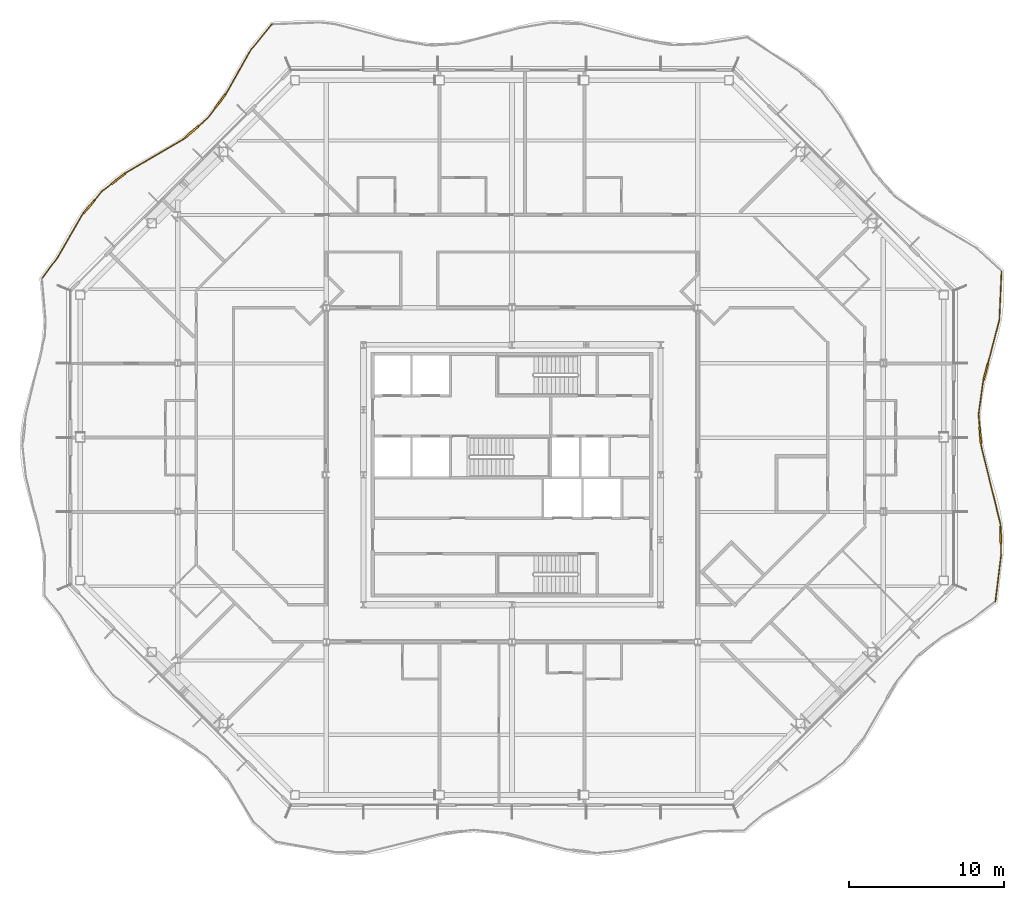
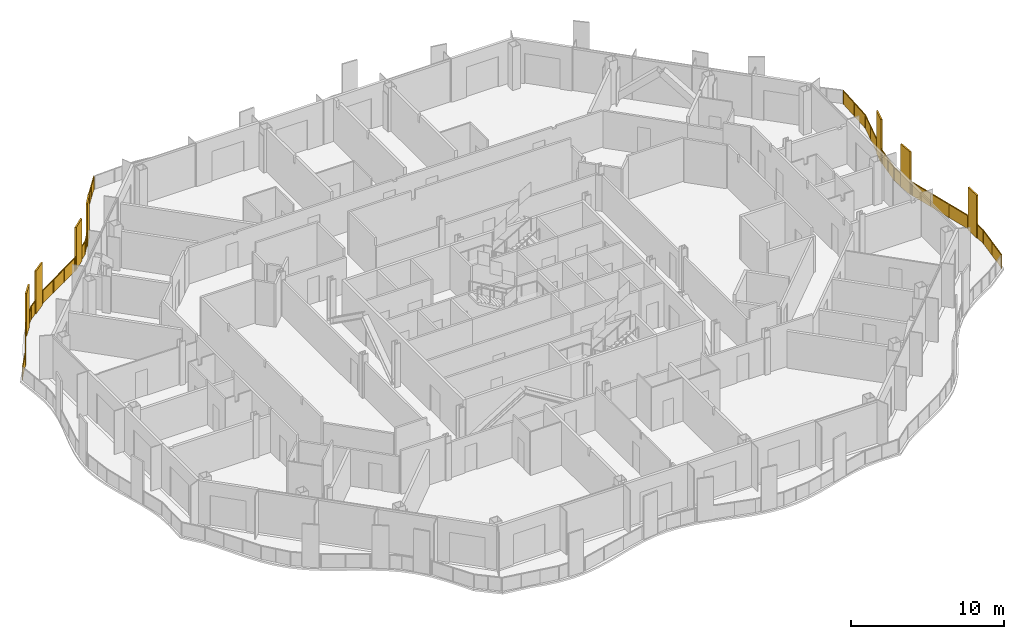
# One storey, part 19 of 21: 2 railings.
"""IFC4 building model written with IfcOpenShell, lengths in metres."""

from ifc_helpers import new_model, si_unit, direction, frame, origin, origin_2d, place, context, subcontext, project, spatial, polyline, rectangle, outline, extrude, material, type_object, element, save


model = new_model("IFC4")

# Units and contexts
model_context = context("Model", 3, precision=1e-05, world=origin(), true_north=direction((0.0, 1.0)))
body_context = subcontext(model_context, "Body", "Model", "MODEL_VIEW")
ifc_project = project(units=[si_unit("LENGTHUNIT", "METRE"), si_unit("AREAUNIT", "SQUARE_METRE"), si_unit("VOLUMEUNIT", "CUBIC_METRE"), si_unit("PLANEANGLEUNIT", "RADIAN"), si_unit("MASSUNIT", "GRAM", prefix="KILO")], contexts=[model_context])

# Site, building, storey
site_placement = place(None, origin())
site = spatial("IfcSite", under=ifc_project, at=site_placement, CompositionType="ELEMENT")
building_placement = place(site_placement, origin())
building = spatial("IfcBuilding", under=site, at=building_placement, Name="Cairn Pilgrim Tower", CompositionType="ELEMENT")
storey_placement = place(building_placement, frame((0.0, 0.0, 161.39990234375)))
storey = spatial("IfcBuildingStorey", under=building, at=storey_placement, Name="L40", CompositionType="ELEMENT", Elevation=161.39990234375)

# Railings
ifc_material = material(Name="Bronze anodised aluminium rail, posts and fin screens with laminated glass infill", Category="aluminium")
railing_type = type_object("IfcRailingType", Name="BALCONY GUARD WITH FIN SCREENS", PredefinedType="GUARDRAIL", material=ifc_material)
railing_1_placement = place(storey_placement, frame((38.440185546875, -5.787841796875, 0.0)))
element("IfcRailing", 1, at=railing_1_placement, inside=storey, type_object=railing_type, Name="Balcony guard BGF-3 with fin screens", PredefinedType="GUARDRAIL", context=body_context, shape_type="SweptSolid", body=[
    extrude(rectangle(XDim=0.050048828125, YDim=0.050048828125, at=origin_2d()), frame((0.0, 0.0, 1.0751953125), z_axis=(0.122264769297, 0.992497519487, 0.0), x_axis=(-0.992497519487, 0.122264769297, 0.0)), (0.0, 0.0, 1.0), 3.0390625),
    extrude(rectangle(XDim=1.10009765625, YDim=0.110107421875, at=origin_2d()), frame((0.343017578125, 4.310302734375, 0.0), z_axis=(0.0, 0.0, 1.0), x_axis=(-0.022037262675, 0.999757150039, 0.0)), (0.0, 0.0, 1.0), 3.39990234375),
    extrude(rectangle(XDim=0.050048828125, YDim=0.050048828125, at=origin_2d()), frame((0.37158203125, 3.016357421875, 1.0751953125), z_axis=(-0.022037262675, 0.999757150039, 0.0), x_axis=(-0.999757150039, -0.022037262675, 0.0)), (0.0, 0.0, 1.0), 0.744140625),
    extrude(rectangle(XDim=0.050048828125, YDim=0.050048828125, at=origin_2d()), frame((0.3310546875, 4.860107421875, 1.0751953125), z_axis=(-0.022037262675, 0.999757150039, 0.0), x_axis=(-0.999757150039, -0.022037262675, 0.0)), (0.0, 0.0, 1.0), 0.14990234375),
    extrude(rectangle(XDim=0.050048828125, YDim=0.050048828125, at=origin_2d()), frame((0.32763671875, 5.010009765625, 1.0751953125), z_axis=(-0.239949877031, 0.970785278274, 0.0), x_axis=(-0.970785278274, -0.239949877031, 0.0)), (0.0, 0.0, 1.0), 5.2001953125),
    extrude(rectangle(XDim=1.10009765625, YDim=0.110107421875, at=origin_2d()), frame((-0.976806640625, 10.756103515625, 0.0), z_axis=(0.0, 0.0, 1.0), x_axis=(-0.08085412376, 0.996725945619, 0.0)), (0.0, 0.0, 1.0), 3.39990234375),
    extrude(rectangle(XDim=0.050048828125, YDim=0.050048828125, at=origin_2d()), frame((-0.920166015625, 10.058349609375, 1.0751953125), z_axis=(-0.08085412376, 0.996725945619, 0.0), x_axis=(-0.996725945619, -0.08085412376, 0.0)), (0.0, 0.0, 1.0), 0.150146484375),
    extrude(rectangle(XDim=0.050048828125, YDim=0.050048828125, at=origin_2d()), frame((-1.021240234375, 11.30419921875, 1.0751953125), z_axis=(-0.08085412376, 0.996725945619, 0.0), x_axis=(-0.996725945619, -0.08085412376, 0.0)), (0.0, 0.0, 1.0), 0.80615234375),
    extrude(rectangle(XDim=0.050048828125, YDim=0.050048828125, at=origin_2d()), frame((-1.08642578125, 12.10791015625, 1.0751953125), z_axis=(0.137912964875, 0.990444351854, 0.0), x_axis=(-0.990444351854, 0.137912964875, 0.0)), (0.0, 0.0, 1.0), 2.06591796875),
    extrude(rectangle(XDim=1.10009765625, YDim=0.110107421875, at=origin_2d()), frame((-0.620361328125, 14.8447265625, 0.0), z_axis=(0.0, 0.0, 1.0), x_axis=(0.253850909993, 0.967243358983, 0.0)), (0.0, 0.0, 1.0), 3.39990234375),
    extrude(rectangle(XDim=0.050048828125, YDim=0.050048828125, at=origin_2d()), frame((-0.801513671875, 14.154052734375, 1.0751953125), z_axis=(0.253850909993, 0.967243358983, 0.0), x_axis=(-0.967243358983, 0.253850909993, 0.0)), (0.0, 0.0, 1.0), 0.1640625),
    extrude(rectangle(XDim=0.050048828125, YDim=0.050048828125, at=origin_2d()), frame((-0.480712890625, 15.376708984375, 1.0751953125), z_axis=(0.253850909993, 0.967243358983, 0.0), x_axis=(-0.967243358983, 0.253850909993, 0.0)), (0.0, 0.0, 1.0), 2.908203125),
    extrude(rectangle(XDim=0.050048828125, YDim=0.050048828125, at=origin_2d()), frame((0.257568359375, 18.189453125, 1.0751953125), z_axis=(0.044558662059, 0.999006769564, 0.0), x_axis=(-0.999006769564, 0.044558662059, 0.0)), (0.0, 0.0, 1.0), 3.11767578125),
    extrude(rectangle(XDim=0.050048828125, YDim=0.050048828125, at=origin_2d()), origin(), (0.0, 0.0, 1.0), 1.050048828125),
    extrude(rectangle(XDim=0.050048828125, YDim=0.050048828125, at=origin_2d()), frame((0.185791015625, 1.50830078125, 0.0)), (0.0, 0.0, 1.0), 1.050048828125),
    extrude(rectangle(XDim=0.050048828125, YDim=0.050048828125, at=origin_2d()), frame((0.37158203125, 3.016357421875, 0.0)), (0.0, 0.0, 1.0), 1.050048828125),
    extrude(rectangle(XDim=0.050048828125, YDim=0.050048828125, at=origin_2d()), frame((0.355712890625, 3.7353515625, 0.0)), (0.0, 0.0, 1.0), 1.050048828125),
    extrude(rectangle(XDim=0.050048828125, YDim=0.050048828125, at=origin_2d()), frame((0.330322265625, 4.88525390625, 0.0)), (0.0, 0.0, 1.0), 1.050048828125),
    extrude(rectangle(XDim=0.050048828125, YDim=0.050048828125, at=origin_2d()), frame((0.32763671875, 5.010009765625, 0.0)), (0.0, 0.0, 1.0), 1.050048828125),
    extrude(rectangle(XDim=0.050048828125, YDim=0.050048828125, at=origin_2d()), frame((-0.08837890625, 6.69287109375, 0.0)), (0.0, 0.0, 1.0), 1.050048828125),
    extrude(rectangle(XDim=0.050048828125, YDim=0.050048828125, at=origin_2d()), frame((-0.504150390625, 8.37548828125, 0.0)), (0.0, 0.0, 1.0), 1.050048828125),
    extrude(rectangle(XDim=0.050048828125, YDim=0.050048828125, at=origin_2d()), frame((-0.920166015625, 10.058349609375, 0.0)), (0.0, 0.0, 1.0), 1.050048828125),
    extrude(rectangle(XDim=0.050048828125, YDim=0.050048828125, at=origin_2d()), frame((-0.93017578125, 10.182861328125, 0.0)), (0.0, 0.0, 1.0), 1.050048828125),
    extrude(rectangle(XDim=0.050048828125, YDim=0.050048828125, at=origin_2d()), frame((-1.023193359375, 11.329345703125, 0.0)), (0.0, 0.0, 1.0), 1.050048828125),
    extrude(rectangle(XDim=0.050048828125, YDim=0.050048828125, at=origin_2d()), frame((-1.08642578125, 12.10791015625, 0.0)), (0.0, 0.0, 1.0), 1.050048828125),
    extrude(rectangle(XDim=0.050048828125, YDim=0.050048828125, at=origin_2d()), frame((-0.94384765625, 13.130859375, 0.0)), (0.0, 0.0, 1.0), 1.050048828125),
    extrude(rectangle(XDim=0.050048828125, YDim=0.050048828125, at=origin_2d()), frame((-0.801513671875, 14.154052734375, 0.0)), (0.0, 0.0, 1.0), 1.050048828125),
    extrude(rectangle(XDim=0.050048828125, YDim=0.050048828125, at=origin_2d()), frame((-0.766357421875, 14.288330078125, 0.0)), (0.0, 0.0, 1.0), 1.050048828125),
    extrude(rectangle(XDim=0.050048828125, YDim=0.050048828125, at=origin_2d()), frame((-0.474365234375, 15.40087890625, 0.0)), (0.0, 0.0, 1.0), 1.050048828125),
    extrude(rectangle(XDim=0.050048828125, YDim=0.050048828125, at=origin_2d()), frame((-0.1083984375, 16.795166015625, 0.0)), (0.0, 0.0, 1.0), 1.050048828125),
    extrude(rectangle(XDim=0.050048828125, YDim=0.050048828125, at=origin_2d()), frame((0.257568359375, 18.189453125, 0.0)), (0.0, 0.0, 1.0), 1.050048828125),
    extrude(rectangle(XDim=0.050048828125, YDim=0.050048828125, at=origin_2d()), frame((0.3271484375, 19.74658203125, 0.0)), (0.0, 0.0, 1.0), 1.050048828125),
    extrude(rectangle(XDim=0.050048828125, YDim=0.050048828125, at=origin_2d()), frame((0.396484375, 21.303955078125, 0.0)), (0.0, 0.0, 1.0), 1.050048828125),
    extrude(outline(polyline([(0.02490234375, 0.0), (1.49462890625, 0.0), (1.49462890625, 1.050048828125), (0.02490234375, 1.050048828125), (0.02490234375, 0.0)])), frame((-0.005859375, 0.000732421875, 0.0), z_axis=(0.992497519487, -0.122264769297, 0.0), x_axis=(0.122264769297, 0.992497519487, 0.0)), (0.0, 0.0, 1.0), 0.011962890625),
    extrude(outline(polyline([(0.02490234375, 0.0), (1.49462890625, 0.0), (1.49462890625, 1.050048828125), (0.02490234375, 1.050048828125), (0.02490234375, 0.0)])), frame((0.179931640625, 1.5087890625, 0.0), z_axis=(0.992497519487, -0.122264769297, 0.0), x_axis=(0.122264769297, 0.992497519487, 0.0)), (0.0, 0.0, 1.0), 0.011962890625),
    extrude(outline(polyline([(0.02490234375, 0.0), (0.694091796875, 0.0), (0.694091796875, 1.050048828125), (0.02490234375, 1.050048828125), (0.02490234375, 0.0)])), frame((0.36572265625, 3.01611328125, 0.0), z_axis=(0.999757150039, 0.022037262675, 0.0), x_axis=(-0.022037262675, 0.999757150039, 0.0)), (0.0, 0.0, 1.0), 0.011962890625),
    extrude(outline(polyline([(0.02490234375, 0.0), (0.099853515625, 0.0), (0.099853515625, 1.050048828125), (0.02490234375, 1.050048828125), (0.02490234375, 0.0)])), frame((0.324462890625, 4.885009765625, 0.0), z_axis=(0.999757150039, 0.022037262675, 0.0), x_axis=(-0.022037262675, 0.999757150039, 0.0)), (0.0, 0.0, 1.0), 0.011962890625),
    extrude(outline(polyline([(0.02490234375, 0.0), (1.70849609375, 0.0), (1.70849609375, 1.050048828125), (0.02490234375, 1.050048828125), (0.02490234375, 0.0)])), frame((0.32177734375, 5.008544921875, 0.0), z_axis=(0.970785278274, 0.239949877031, 0.0), x_axis=(-0.239949877031, 0.970785278274, 0.0)), (0.0, 0.0, 1.0), 0.011962890625),
    extrude(outline(polyline([(0.02490234375, 0.0), (1.70849609375, 0.0), (1.70849609375, 1.050048828125), (0.02490234375, 1.050048828125), (0.02490234375, 0.0)])), frame((-0.093994140625, 6.69140625, 0.0), z_axis=(0.970785278274, 0.239949877031, 0.0), x_axis=(-0.239949877031, 0.970785278274, 0.0)), (0.0, 0.0, 1.0), 0.011962890625),
    extrude(outline(polyline([(0.02490234375, 0.0), (1.70849609375, 0.0), (1.70849609375, 1.050048828125), (0.02490234375, 1.050048828125), (0.02490234375, 0.0)])), frame((-0.510009765625, 8.3740234375, 0.0), z_axis=(0.970785278274, 0.239949877031, 0.0), x_axis=(-0.239949877031, 0.970785278274, 0.0)), (0.0, 0.0, 1.0), 0.011962890625),
    extrude(outline(polyline([(0.02490234375, 0.0), (0.10009765625, 0.0), (0.10009765625, 1.050048828125), (0.02490234375, 1.050048828125), (0.02490234375, 0.0)])), frame((-0.926025390625, 10.057861328125, 0.0), z_axis=(0.996725945619, 0.08085412376, 0.0), x_axis=(-0.08085412376, 0.996725945619, 0.0)), (0.0, 0.0, 1.0), 0.011962890625),
    extrude(outline(polyline([(0.02490234375, 0.0), (0.756103515625, 0.0), (0.756103515625, 1.050048828125), (0.02490234375, 1.050048828125), (0.02490234375, 0.0)])), frame((-1.029296875, 11.328857421875, 0.0), z_axis=(0.996725945619, 0.08085412376, 0.0), x_axis=(-0.08085412376, 0.996725945619, 0.0)), (0.0, 0.0, 1.0), 0.011962890625),
    extrude(outline(polyline([(0.02490234375, 0.0), (1.0078125, 0.0), (1.0078125, 1.050048828125), (0.02490234375, 1.050048828125), (0.02490234375, 0.0)])), frame((-1.09228515625, 12.108642578125, 0.0), z_axis=(0.990444351854, -0.137912964875, 0.0), x_axis=(0.137912964875, 0.990444351854, 0.0)), (0.0, 0.0, 1.0), 0.011962890625),
    extrude(outline(polyline([(0.02490234375, 0.0), (1.0078125, 0.0), (1.0078125, 1.050048828125), (0.02490234375, 1.050048828125), (0.02490234375, 0.0)])), frame((-0.949951171875, 13.1318359375, 0.0), z_axis=(0.990444351854, -0.137912964875, 0.0), x_axis=(0.137912964875, 0.990444351854, 0.0)), (0.0, 0.0, 1.0), 0.011962890625),
    extrude(outline(polyline([(0.02490234375, 0.0), (0.114013671875, 0.0), (0.114013671875, 1.050048828125), (0.02490234375, 1.050048828125), (0.02490234375, 0.0)])), frame((-0.807373046875, 14.155517578125, 0.0), z_axis=(0.967243358983, -0.253850909993, 0.0), x_axis=(0.253850909993, 0.967243358983, 0.0)), (0.0, 0.0, 1.0), 0.011962890625),
    extrude(outline(polyline([(0.02490234375, 0.0), (1.41650390625, 0.0), (1.41650390625, 1.050048828125), (0.02490234375, 1.050048828125), (0.02490234375, 0.0)])), frame((-0.47998046875, 15.40234375, 0.0), z_axis=(0.967243358983, -0.253850909993, 0.0), x_axis=(0.253850909993, 0.967243358983, 0.0)), (0.0, 0.0, 1.0), 0.011962890625),
    extrude(outline(polyline([(0.02490234375, 0.0), (1.41650390625, 0.0), (1.41650390625, 1.050048828125), (0.02490234375, 1.050048828125), (0.02490234375, 0.0)])), frame((-0.1142578125, 16.796630859375, 0.0), z_axis=(0.967243358983, -0.253850909993, 0.0), x_axis=(0.253850909993, 0.967243358983, 0.0)), (0.0, 0.0, 1.0), 0.011962890625),
    extrude(outline(polyline([(0.02490234375, 0.0), (1.53369140625, 0.0), (1.53369140625, 1.050048828125), (0.02490234375, 1.050048828125), (0.02490234375, 0.0)])), frame((0.251708984375, 18.189697265625, 0.0), z_axis=(0.999006769564, -0.044558662059, 0.0), x_axis=(0.044558662059, 0.999006769564, 0.0)), (0.0, 0.0, 1.0), 0.011962890625),
    extrude(outline(polyline([(0.02490234375, 0.0), (1.53369140625, 0.0), (1.53369140625, 1.050048828125), (0.02490234375, 1.050048828125), (0.02490234375, 0.0)])), frame((0.321044921875, 19.7470703125, 0.0), z_axis=(0.999006769564, -0.044558662059, 0.0), x_axis=(0.044558662059, 0.999006769564, 0.0)), (0.0, 0.0, 1.0), 0.011962890625),
])
railing_2_placement = place(storey_placement, frame((-8.3154296875, 31.521484375, 0.0)))
element("IfcRailing", 2, at=railing_2_placement, inside=storey, type_object=railing_type, Name="Balcony guard BGF-6 with fin screens", PredefinedType="GUARDRAIL", context=body_context, shape_type="SweptSolid", body=[
    extrude(rectangle(XDim=0.050048828125, YDim=0.050048828125, at=origin_2d()), frame((0.0, 0.0, 1.0751953125), z_axis=(-0.635587081674, -0.772029184428, 0.0), x_axis=(0.772029184428, -0.635587081674, 0.0)), (0.0, 0.0, 1.0), 2.136474609375),
    extrude(rectangle(XDim=0.050048828125, YDim=0.050048828125, at=origin_2d()), frame((-1.35791015625, -1.6494140625, 1.0751953125), z_axis=(-0.492613647027, -0.870248122527, 0.0), x_axis=(0.870248122527, -0.492613647027, 0.0)), (0.0, 0.0, 1.0), 3.166015625),
    extrude(rectangle(XDim=1.10009765625, YDim=0.110107421875, at=origin_2d()), frame((-3.334716796875, -4.966552734375, 0.0), z_axis=(0.0, 0.0, 1.0), x_axis=(-0.596075972165, -0.802928038748, 0.0)), (0.0, 0.0, 1.0), 3.39990234375),
    extrude(rectangle(XDim=0.050048828125, YDim=0.050048828125, at=origin_2d()), frame((-2.91748046875, -4.404541015625, 1.0751953125), z_axis=(-0.596075972165, -0.802928038748, 0.0), x_axis=(0.802928038748, -0.596075972165, 0.0)), (0.0, 0.0, 1.0), 0.14990234375),
    extrude(rectangle(XDim=0.050048828125, YDim=0.050048828125, at=origin_2d()), frame((-3.66259765625, -5.408203125, 1.0751953125), z_axis=(-0.596075972165, -0.802928038748, 0.0), x_axis=(0.802928038748, -0.596075972165, 0.0)), (0.0, 0.0, 1.0), 0.834228515625),
    extrude(rectangle(XDim=1.10009765625, YDim=0.110107421875, at=origin_2d()), frame((-5.198486328125, -6.97509765625, 0.0), z_axis=(0.0, 0.0, 1.0), x_axis=(-0.756823007769, -0.653619870346, 0.0)), (0.0, 0.0, 1.0), 3.39990234375),
    extrude(rectangle(XDim=0.050048828125, YDim=0.050048828125, at=origin_2d()), frame((-4.159912109375, -6.078125, 1.0751953125), z_axis=(-0.756823007769, -0.653619870346, 0.0), x_axis=(0.653619870346, -0.756823007769, 0.0)), (0.0, 0.0, 1.0), 0.822265625),
    extrude(rectangle(XDim=0.050048828125, YDim=0.050048828125, at=origin_2d()), frame((-5.61474609375, -7.334716796875, 1.0751953125), z_axis=(-0.756823007769, -0.653619870346, 0.0), x_axis=(0.653619870346, -0.756823007769, 0.0)), (0.0, 0.0, 1.0), 0.14990234375),
    extrude(rectangle(XDim=0.050048828125, YDim=0.050048828125, at=origin_2d()), frame((-5.728271484375, -7.4326171875, 1.0751953125), z_axis=(-0.86343419487, -0.50446148627, 0.0), x_axis=(0.50446148627, -0.86343419487, 0.0)), (0.0, 0.0, 1.0), 4.21533203125),
    extrude(rectangle(XDim=1.10009765625, YDim=0.110107421875, at=origin_2d()), frame((-9.924072265625, -9.984130859375, 0.0), z_axis=(0.0, 0.0, 1.0), x_axis=(-0.794508106718, -0.607253545365, 0.0)), (0.0, 0.0, 1.0), 3.39990234375),
    extrude(rectangle(XDim=0.050048828125, YDim=0.050048828125, at=origin_2d()), frame((-9.367919921875, -9.55908203125, 1.0751953125), z_axis=(-0.794508106718, -0.607253545365, 0.0), x_axis=(0.607253545365, -0.794508106718, 0.0)), (0.0, 0.0, 1.0), 0.150146484375),
    extrude(rectangle(XDim=0.050048828125, YDim=0.050048828125, at=origin_2d()), frame((-10.361083984375, -10.318115234375, 1.0751953125), z_axis=(-0.794508106718, -0.607253545365, 0.0), x_axis=(0.607253545365, -0.794508106718, 0.0)), (0.0, 0.0, 1.0), 0.778564453125),
    extrude(rectangle(XDim=1.10009765625, YDim=0.110107421875, at=origin_2d()), frame((-11.8232421875, -11.799560546875, 0.0), z_axis=(0.0, 0.0, 1.0), x_axis=(-0.641613534435, -0.767028077993, 0.0)), (0.0, 0.0, 1.0), 3.39990234375),
    extrude(rectangle(XDim=0.050048828125, YDim=0.050048828125, at=origin_2d()), frame((-10.979736328125, -10.791015625, 1.0751953125), z_axis=(-0.641613534435, -0.767028077993, 0.0), x_axis=(0.767028077993, -0.641613534435, 0.0)), (0.0, 0.0, 1.0), 0.7646484375),
    extrude(rectangle(XDim=0.050048828125, YDim=0.050048828125, at=origin_2d()), frame((-12.17626953125, -12.221435546875, 1.0751953125), z_axis=(-0.641613534435, -0.767028077993, 0.0), x_axis=(0.767028077993, -0.641613534435, 0.0)), (0.0, 0.0, 1.0), 0.150146484375),
    extrude(rectangle(XDim=0.050048828125, YDim=0.050048828125, at=origin_2d()), frame((-12.2724609375, -12.33642578125, 1.0751953125), z_axis=(-0.499905356512, -0.866080039333, 0.0), x_axis=(0.866080039333, -0.499905356512, 0.0)), (0.0, 0.0, 1.0), 3.158203125),
    extrude(rectangle(XDim=0.050048828125, YDim=0.050048828125, at=origin_2d()), frame((-13.851318359375, -15.07177734375, 1.0751953125), z_axis=(-0.597012983805, -0.802231573281, 0.0), x_axis=(0.802231573281, -0.597012983805, 0.0)), (0.0, 0.0, 1.0), 1.650146484375),
    extrude(rectangle(XDim=0.050048828125, YDim=0.050048828125, at=origin_2d()), origin(), (0.0, 0.0, 1.0), 1.050048828125),
    extrude(rectangle(XDim=0.050048828125, YDim=0.050048828125, at=origin_2d()), frame((-0.678955078125, -0.82470703125, 0.0)), (0.0, 0.0, 1.0), 1.050048828125),
    extrude(rectangle(XDim=0.050048828125, YDim=0.050048828125, at=origin_2d()), frame((-1.35791015625, -1.6494140625, 0.0)), (0.0, 0.0, 1.0), 1.050048828125),
    extrude(rectangle(XDim=0.050048828125, YDim=0.050048828125, at=origin_2d()), frame((-2.1376953125, -3.02685546875, 0.0)), (0.0, 0.0, 1.0), 1.050048828125),
    extrude(rectangle(XDim=0.050048828125, YDim=0.050048828125, at=origin_2d()), frame((-2.91748046875, -4.404541015625, 0.0)), (0.0, 0.0, 1.0), 1.050048828125),
    extrude(rectangle(XDim=0.050048828125, YDim=0.050048828125, at=origin_2d()), frame((-2.991943359375, -4.5048828125, 0.0)), (0.0, 0.0, 1.0), 1.050048828125),
    extrude(rectangle(XDim=0.050048828125, YDim=0.050048828125, at=origin_2d()), frame((-3.677490234375, -5.42822265625, 0.0)), (0.0, 0.0, 1.0), 1.050048828125),
    extrude(rectangle(XDim=0.050048828125, YDim=0.050048828125, at=origin_2d()), frame((-4.159912109375, -6.078125, 0.0)), (0.0, 0.0, 1.0), 1.050048828125),
    extrude(rectangle(XDim=0.050048828125, YDim=0.050048828125, at=origin_2d()), frame((-4.763427734375, -6.599365234375, 0.0)), (0.0, 0.0, 1.0), 1.050048828125),
    extrude(rectangle(XDim=0.050048828125, YDim=0.050048828125, at=origin_2d()), frame((-5.6337890625, -7.35107421875, 0.0)), (0.0, 0.0, 1.0), 1.050048828125),
    extrude(rectangle(XDim=0.050048828125, YDim=0.050048828125, at=origin_2d()), frame((-5.728271484375, -7.4326171875, 0.0)), (0.0, 0.0, 1.0), 1.050048828125),
    extrude(rectangle(XDim=0.050048828125, YDim=0.050048828125, at=origin_2d()), frame((-6.94140625, -8.141357421875, 0.0)), (0.0, 0.0, 1.0), 1.050048828125),
    extrude(rectangle(XDim=0.050048828125, YDim=0.050048828125, at=origin_2d()), frame((-8.15478515625, -8.850341796875, 0.0)), (0.0, 0.0, 1.0), 1.050048828125),
    extrude(rectangle(XDim=0.050048828125, YDim=0.050048828125, at=origin_2d()), frame((-9.367919921875, -9.55908203125, 0.0)), (0.0, 0.0, 1.0), 1.050048828125),
    extrude(rectangle(XDim=0.050048828125, YDim=0.050048828125, at=origin_2d()), frame((-9.46728515625, -9.635009765625, 0.0)), (0.0, 0.0, 1.0), 1.050048828125),
    extrude(rectangle(XDim=0.050048828125, YDim=0.050048828125, at=origin_2d()), frame((-10.381103515625, -10.33349609375, 0.0)), (0.0, 0.0, 1.0), 1.050048828125),
    extrude(rectangle(XDim=0.050048828125, YDim=0.050048828125, at=origin_2d()), frame((-10.979736328125, -10.791015625, 0.0)), (0.0, 0.0, 1.0), 1.050048828125),
    extrude(rectangle(XDim=0.050048828125, YDim=0.050048828125, at=origin_2d()), frame((-11.454345703125, -11.3583984375, 0.0)), (0.0, 0.0, 1.0), 1.050048828125),
    extrude(rectangle(XDim=0.050048828125, YDim=0.050048828125, at=origin_2d()), frame((-12.192138671875, -12.240478515625, 0.0)), (0.0, 0.0, 1.0), 1.050048828125),
    extrude(rectangle(XDim=0.050048828125, YDim=0.050048828125, at=origin_2d()), frame((-12.2724609375, -12.33642578125, 0.0)), (0.0, 0.0, 1.0), 1.050048828125),
    extrude(rectangle(XDim=0.050048828125, YDim=0.050048828125, at=origin_2d()), frame((-13.06201171875, -13.7041015625, 0.0)), (0.0, 0.0, 1.0), 1.050048828125),
    extrude(rectangle(XDim=0.050048828125, YDim=0.050048828125, at=origin_2d()), frame((-13.851318359375, -15.07177734375, 0.0)), (0.0, 0.0, 1.0), 1.050048828125),
    extrude(rectangle(XDim=0.050048828125, YDim=0.050048828125, at=origin_2d()), frame((-14.83642578125, -16.3955078125, 0.0)), (0.0, 0.0, 1.0), 1.050048828125),
    extrude(outline(polyline([(0.02490234375, 0.0), (1.043212890625, 0.0), (1.043212890625, 1.050048828125), (0.02490234375, 1.050048828125), (0.02490234375, 0.0)])), frame((0.004638671875, -0.00390625, 0.0), z_axis=(-0.772029184428, 0.635587081674, 0.0), x_axis=(-0.635587081674, -0.772029184428, 0.0)), (0.0, 0.0, 1.0), 0.011962890625),
    extrude(outline(polyline([(0.02490234375, 0.0), (1.043212890625, 0.0), (1.043212890625, 1.050048828125), (0.02490234375, 1.050048828125), (0.02490234375, 0.0)])), frame((-0.67431640625, -0.82861328125, 0.0), z_axis=(-0.772029184428, 0.635587081674, 0.0), x_axis=(-0.635587081674, -0.772029184428, 0.0)), (0.0, 0.0, 1.0), 0.011962890625),
    extrude(outline(polyline([(0.02490234375, 0.0), (1.557861328125, 0.0), (1.557861328125, 1.050048828125), (0.02490234375, 1.050048828125), (0.02490234375, 0.0)])), frame((-1.352783203125, -1.65234375, 0.0), z_axis=(-0.870248122527, 0.492613647027, 0.0), x_axis=(-0.492613647027, -0.870248122527, 0.0)), (0.0, 0.0, 1.0), 0.011962890625),
    extrude(outline(polyline([(0.02490234375, 0.0), (1.557861328125, 0.0), (1.557861328125, 1.050048828125), (0.02490234375, 1.050048828125), (0.02490234375, 0.0)])), frame((-2.132568359375, -3.030029296875, 0.0), z_axis=(-0.870248122527, 0.492613647027, 0.0), x_axis=(-0.492613647027, -0.870248122527, 0.0)), (0.0, 0.0, 1.0), 0.011962890625),
    extrude(outline(polyline([(0.02490234375, 0.0), (0.099853515625, 0.0), (0.099853515625, 1.050048828125), (0.02490234375, 1.050048828125), (0.02490234375, 0.0)])), frame((-2.91259765625, -4.408203125, 0.0), z_axis=(-0.802928038748, 0.596075972165, 0.0), x_axis=(-0.596075972165, -0.802928038748, 0.0)), (0.0, 0.0, 1.0), 0.011962890625),
    extrude(outline(polyline([(0.02490234375, 0.0), (0.7841796875, 0.0), (0.7841796875, 1.050048828125), (0.02490234375, 1.050048828125), (0.02490234375, 0.0)])), frame((-3.672607421875, -5.431884765625, 0.0), z_axis=(-0.802928038748, 0.596075972165, 0.0), x_axis=(-0.596075972165, -0.802928038748, 0.0)), (0.0, 0.0, 1.0), 0.011962890625),
    extrude(outline(polyline([(0.02490234375, 0.0), (0.772216796875, 0.0), (0.772216796875, 1.050048828125), (0.02490234375, 1.050048828125), (0.02490234375, 0.0)])), frame((-4.156005859375, -6.082763671875, 0.0), z_axis=(-0.653619870346, 0.756823007769, 0.0), x_axis=(-0.756823007769, -0.653619870346, 0.0)), (0.0, 0.0, 1.0), 0.011962890625),
    extrude(outline(polyline([(0.02490234375, 0.0), (0.099853515625, 0.0), (0.099853515625, 1.050048828125), (0.02490234375, 1.050048828125), (0.02490234375, 0.0)])), frame((-5.6298828125, -7.35546875, 0.0), z_axis=(-0.653619870346, 0.756823007769, 0.0), x_axis=(-0.756823007769, -0.653619870346, 0.0)), (0.0, 0.0, 1.0), 0.011962890625),
    extrude(outline(polyline([(0.02490234375, 0.0), (1.380126953125, 0.0), (1.380126953125, 1.050048828125), (0.02490234375, 1.050048828125), (0.02490234375, 0.0)])), frame((-5.725341796875, -7.437744140625, 0.0), z_axis=(-0.50446148627, 0.86343419487, 0.0), x_axis=(-0.86343419487, -0.50446148627, 0.0)), (0.0, 0.0, 1.0), 0.011962890625),
    extrude(outline(polyline([(0.02490234375, 0.0), (1.380126953125, 0.0), (1.380126953125, 1.050048828125), (0.02490234375, 1.050048828125), (0.02490234375, 0.0)])), frame((-6.9384765625, -8.146484375, 0.0), z_axis=(-0.50446148627, 0.86343419487, 0.0), x_axis=(-0.86343419487, -0.50446148627, 0.0)), (0.0, 0.0, 1.0), 0.011962890625),
    extrude(outline(polyline([(0.02490234375, 0.0), (1.380126953125, 0.0), (1.380126953125, 1.050048828125), (0.02490234375, 1.050048828125), (0.02490234375, 0.0)])), frame((-8.151611328125, -8.85546875, 0.0), z_axis=(-0.50446148627, 0.86343419487, 0.0), x_axis=(-0.86343419487, -0.50446148627, 0.0)), (0.0, 0.0, 1.0), 0.011962890625),
    extrude(outline(polyline([(0.02490234375, 0.0), (0.10009765625, 0.0), (0.10009765625, 1.050048828125), (0.02490234375, 1.050048828125), (0.02490234375, 0.0)])), frame((-9.3642578125, -9.563720703125, 0.0), z_axis=(-0.607253545365, 0.794508106718, 0.0), x_axis=(-0.794508106718, -0.607253545365, 0.0)), (0.0, 0.0, 1.0), 0.011962890625),
    extrude(outline(polyline([(0.02490234375, 0.0), (0.728515625, 0.0), (0.728515625, 1.050048828125), (0.02490234375, 1.050048828125), (0.02490234375, 0.0)])), frame((-10.37744140625, -10.338134765625, 0.0), z_axis=(-0.607253545365, 0.794508106718, 0.0), x_axis=(-0.794508106718, -0.607253545365, 0.0)), (0.0, 0.0, 1.0), 0.011962890625),
    extrude(outline(polyline([(0.02490234375, 0.0), (0.714599609375, 0.0), (0.714599609375, 1.050048828125), (0.02490234375, 1.050048828125), (0.02490234375, 0.0)])), frame((-10.97509765625, -10.794921875, 0.0), z_axis=(-0.767028077993, 0.641613534435, 0.0), x_axis=(-0.641613534435, -0.767028077993, 0.0)), (0.0, 0.0, 1.0), 0.011962890625),
    extrude(outline(polyline([(0.02490234375, 0.0), (0.10009765625, 0.0), (0.10009765625, 1.050048828125), (0.02490234375, 1.050048828125), (0.02490234375, 0.0)])), frame((-12.187744140625, -12.244384765625, 0.0), z_axis=(-0.767028077993, 0.641613534435, 0.0), x_axis=(-0.641613534435, -0.767028077993, 0.0)), (0.0, 0.0, 1.0), 0.011962890625),
    extrude(outline(polyline([(0.02490234375, 0.0), (1.55419921875, 0.0), (1.55419921875, 1.050048828125), (0.02490234375, 1.050048828125), (0.02490234375, 0.0)])), frame((-12.267333984375, -12.33935546875, 0.0), z_axis=(-0.866080039333, 0.499905356512, 0.0), x_axis=(-0.499905356512, -0.866080039333, 0.0)), (0.0, 0.0, 1.0), 0.011962890625),
    extrude(outline(polyline([(0.02490234375, 0.0), (1.55419921875, 0.0), (1.55419921875, 1.050048828125), (0.02490234375, 1.050048828125), (0.02490234375, 0.0)])), frame((-13.056640625, -13.70703125, 0.0), z_axis=(-0.866080039333, 0.499905356512, 0.0), x_axis=(-0.499905356512, -0.866080039333, 0.0)), (0.0, 0.0, 1.0), 0.011962890625),
    extrude(outline(polyline([(0.02490234375, 0.0), (1.625, 0.0), (1.625, 1.050048828125), (0.02490234375, 1.050048828125), (0.02490234375, 0.0)])), frame((-13.846435546875, -15.075439453125, 0.0), z_axis=(-0.802231573281, 0.597012983805, 0.0), x_axis=(-0.597012983805, -0.802231573281, 0.0)), (0.0, 0.0, 1.0), 0.011962890625),
])

save(model, "model.ifc")
